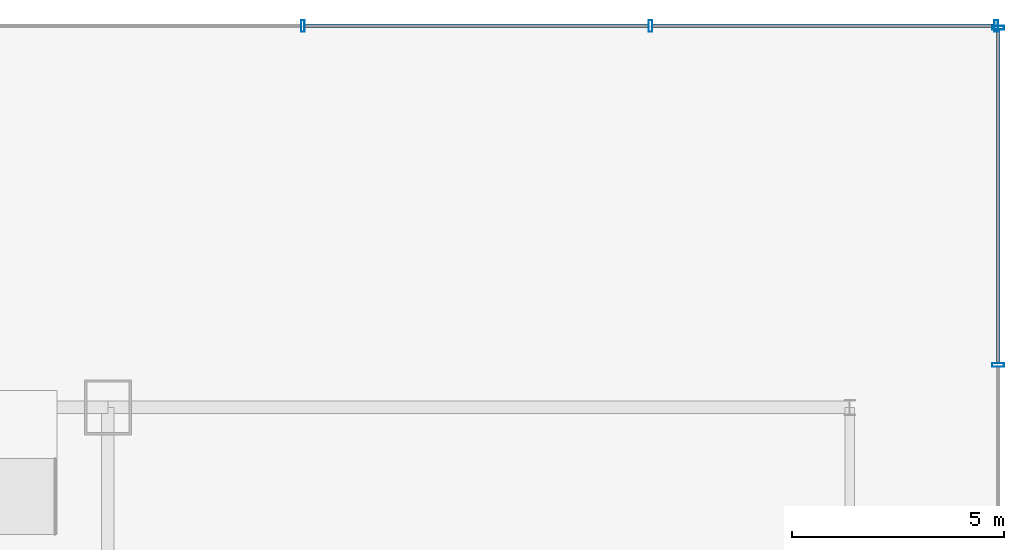
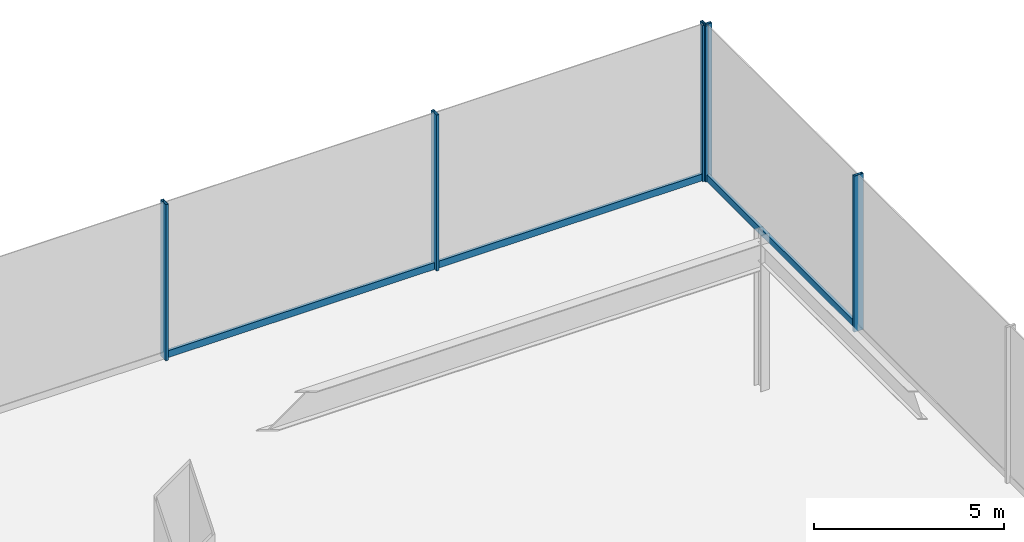
# One storey, part 26 of 39: 8 members, 2 elements without a shape of their own.
"""IFC4 building model written with IfcOpenShell, lengths in metres."""

from ifc_helpers import new_model, si_unit, derived_unit, direction, frame, origin, origin_2d, place, context, subcontext, project, spatial, hollow_rectangle, extrude, source, transform, mapped, material, material_profile, profile_set, type_object, element, aggregate, save


model = new_model("IFC4")

# Units and contexts
model_context = context("Model", 3, precision=1e-05, world=origin(), true_north=direction((0.0, 1.0)))
body_context = subcontext(model_context, "Body", "Model", "MODEL_VIEW")
ifc_project = project(units=[si_unit("LENGTHUNIT", "METRE"), si_unit("AREAUNIT", "SQUARE_METRE"), si_unit("VOLUMEUNIT", "CUBIC_METRE"), si_unit("PLANEANGLEUNIT", "RADIAN"), si_unit("MASSUNIT", "GRAM", prefix="KILO"), derived_unit("THERMALTRANSMITTANCEUNIT", [(si_unit("POWERUNIT", "WATT"), 1), (si_unit("LENGTHUNIT", "METRE"), -2), (si_unit("THERMODYNAMICTEMPERATUREUNIT", "KELVIN"), -1)])], contexts=[model_context])

# Site, building, storey
site_placement = place(None, origin())
site = spatial("IfcSite", under=ifc_project, at=site_placement, CompositionType="ELEMENT")
building_placement = place(site_placement, origin())
building = spatial("IfcBuilding", under=site, at=building_placement, Name="Skarnbrae Concourse Arena and Tower", CompositionType="ELEMENT")
storey_placement = place(building_placement, frame((0.0, 0.0, 16.0)))
storey = spatial("IfcBuildingStorey", under=building, at=storey_placement, Name="L03", CompositionType="ELEMENT", Elevation=16.0)

# Curtain wall, members
ifc_material = material(Name="Bronze anodised aluminium 6063-T6", Category="aluminium")
curtain_wall_type = type_object("IfcCurtainWallType", Name="CW-SYS-01-PODIUM", PredefinedType="USERDEFINED", material=ifc_material)
curtain_wall_1_placement = place(storey_placement, origin())
curtain_wall_1 = element("IfcCurtainWall", 1, at=curtain_wall_1_placement, inside=storey, type_object=curtain_wall_type, Name="L03 Unitised curtain wall CW-L03-E", ObjectType="UNITISED CURTAIN WALL", PredefinedType="USERDEFINED")
ifc_material_profile_1 = material_profile(ifc_material, hollow_rectangle(XDim=0.0849609375, YDim=0.280029296875, WallThickness=0.006103515625, at=origin_2d()), Name="ALU-MULL-85X280")
ifc_profile_set_1 = profile_set([ifc_material_profile_1], Name="Bronze anodised aluminium 6063-T6")
member_type_1 = type_object("IfcMemberType", Name="CWM-CW-01", PredefinedType="MULLION", material=ifc_profile_set_1)
shared_shape_1 = source(origin(), body_context, "Body", "SweptSolid", [
    extrude(hollow_rectangle(XDim=0.0849609375, YDim=0.280029296875, WallThickness=0.006103515625, at=origin_2d()), origin(), (0.0, 0.0, 1.0), 5.0),
])
member_1_placement = place(storey_placement, frame((82.0, 48.0, 0.0), z_axis=(0.0, 0.0, 1.0), x_axis=(0.0, 1.0, 0.0)))
member_1 = element("IfcMember", 2, at=member_1_placement, type_object=member_type_1, Name="CW-L03-E Mullion 7", PredefinedType="MULLION", context=body_context, shape_type="MappedRepresentation", body=[
    mapped(shared_shape_1, transform((0.0, 0.0, 0.0))),
])
member_2_placement = place(storey_placement, frame((82.0, 55.95751953125, 0.0), z_axis=(0.0, 0.0, 1.0), x_axis=(0.0, 1.0, 0.0)))
member_2 = element("IfcMember", 3, at=member_2_placement, type_object=member_type_1, Name="CW-L03-E Mullion 8", PredefinedType="MULLION", context=body_context, shape_type="MappedRepresentation", body=[
    mapped(shared_shape_1, transform((0.0, 0.0, 0.0))),
])

curtain_wall_2_placement = place(storey_placement, origin())
curtain_wall_2 = element("IfcCurtainWall", 4, at=curtain_wall_2_placement, inside=storey, type_object=curtain_wall_type, Name="L03 Unitised curtain wall CW-L03-N", ObjectType="UNITISED CURTAIN WALL", PredefinedType="USERDEFINED")
member_3_placement = place(storey_placement, frame((81.95751953125, 56.0, 0.0), z_axis=(0.0, 0.0, 1.0), x_axis=(-1.0, 0.0, 0.0)))
member_3 = element("IfcMember", 5, at=member_3_placement, type_object=member_type_1, Name="CW-L03-N Mullion 1", PredefinedType="MULLION", context=body_context, shape_type="MappedRepresentation", body=[
    mapped(shared_shape_1, transform((0.0, 0.0, 0.0))),
])
member_4_placement = place(storey_placement, frame((73.800048828125, 56.0, 0.0), z_axis=(0.0, 0.0, 1.0), x_axis=(-1.0, 0.0, 0.0)))
member_4 = element("IfcMember", 6, at=member_4_placement, type_object=member_type_1, Name="CW-L03-N Mullion 2", PredefinedType="MULLION", context=body_context, shape_type="MappedRepresentation", body=[
    mapped(shared_shape_1, transform((0.0, 0.0, 0.0))),
])
member_5_placement = place(storey_placement, frame((65.60009765625, 56.0, 0.0), z_axis=(0.0, 0.0, 1.0), x_axis=(-1.0, 0.0, 0.0)))
member_5 = element("IfcMember", 7, at=member_5_placement, type_object=member_type_1, Name="CW-L03-N Mullion 3", PredefinedType="MULLION", context=body_context, shape_type="MappedRepresentation", body=[
    mapped(shared_shape_1, transform((0.0, 0.0, 0.0))),
])

# Member
ifc_material_profile_2 = material_profile(ifc_material, hollow_rectangle(XDim=0.0849609375, YDim=0.219970703125, WallThickness=0.006103515625, at=origin_2d()), Name="ALU-TRAN-85X220")
ifc_profile_set_2 = profile_set([ifc_material_profile_2], Name="Bronze anodised aluminium 6063-T6")
member_type_2 = type_object("IfcMemberType", Name="CWT-CW-01", PredefinedType="USERDEFINED", material=ifc_profile_set_2)
shared_shape_2 = source(origin(), body_context, "Body", "SweptSolid", [
    extrude(hollow_rectangle(XDim=0.0849609375, YDim=0.219970703125, WallThickness=0.006103515625, at=origin_2d()), origin(), (0.0, 0.0, 1.0), 7.87255859375),
])
member_6_placement = place(storey_placement, frame((82.0, 48.04248046875, 0.110107421875), z_axis=(0.0, 1.0, 0.0), x_axis=(-1.0, 0.0, 0.0)))
member_6 = element("IfcMember", 8, at=member_6_placement, type_object=member_type_2, Name="CW-L03-E Transom 7", ObjectType="TRANSOM", PredefinedType="USERDEFINED", context=body_context, shape_type="MappedRepresentation", body=[
    mapped(shared_shape_2, transform((0.0, 0.0, 0.0))),
])

aggregate(curtain_wall_1, [member_1, member_2, member_6])

shared_shape_3 = source(origin(), body_context, "Body", "SweptSolid", [
    extrude(hollow_rectangle(XDim=0.0849609375, YDim=0.219970703125, WallThickness=0.006103515625, at=origin_2d()), origin(), (0.0, 0.0, 1.0), 8.072509765625),
])
member_7_placement = place(storey_placement, frame((81.9150390625, 56.0, 0.110107421875), z_axis=(-1.0, 0.0, 0.0), x_axis=(0.0, -1.0, 0.0)))
member_7 = element("IfcMember", 9, at=member_7_placement, type_object=member_type_2, Name="CW-L03-N Transom 1", ObjectType="TRANSOM", PredefinedType="USERDEFINED", context=body_context, shape_type="MappedRepresentation", body=[
    mapped(shared_shape_3, transform((0.0, 0.0, 0.0))),
])

shared_shape_4 = source(origin(), body_context, "Body", "SweptSolid", [
    extrude(hollow_rectangle(XDim=0.0849609375, YDim=0.219970703125, WallThickness=0.006103515625, at=origin_2d()), origin(), (0.0, 0.0, 1.0), 8.114990234375),
])
member_8_placement = place(storey_placement, frame((73.757568359375, 56.0, 0.110107421875), z_axis=(-1.0, 0.0, 0.0), x_axis=(0.0, -1.0, 0.0)))
member_8 = element("IfcMember", 10, at=member_8_placement, type_object=member_type_2, Name="CW-L03-N Transom 2", ObjectType="TRANSOM", PredefinedType="USERDEFINED", context=body_context, shape_type="MappedRepresentation", body=[
    mapped(shared_shape_4, transform((0.0, 0.0, 0.0))),
])

aggregate(curtain_wall_2, [member_3, member_4, member_5, member_7, member_8])

save(model, "model.ifc")
